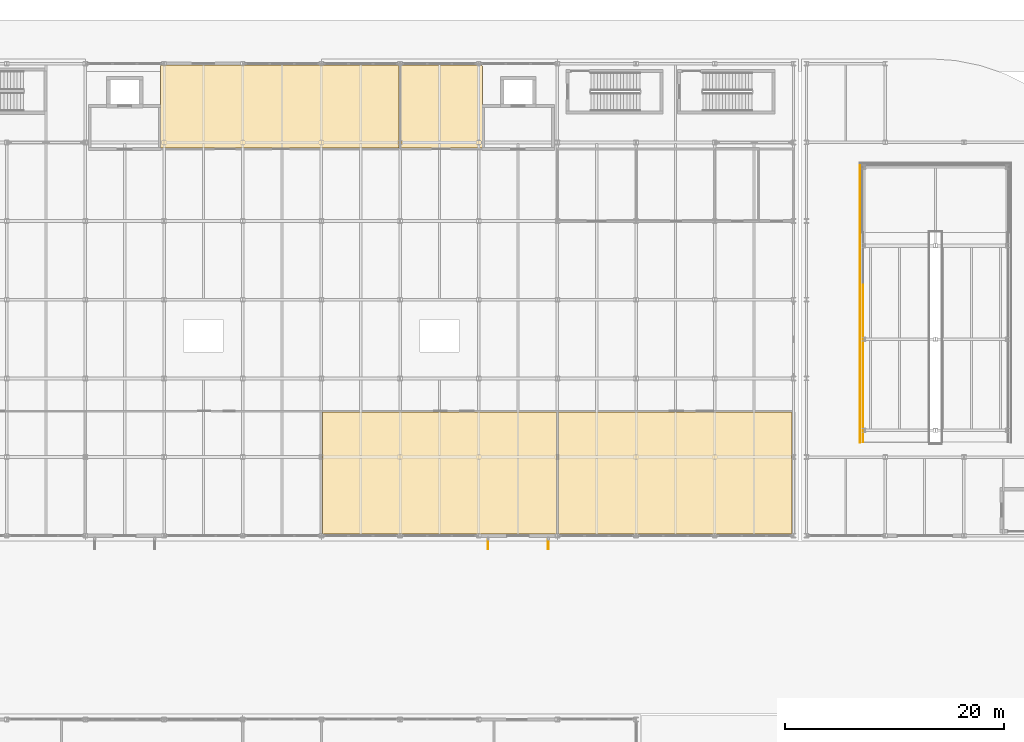
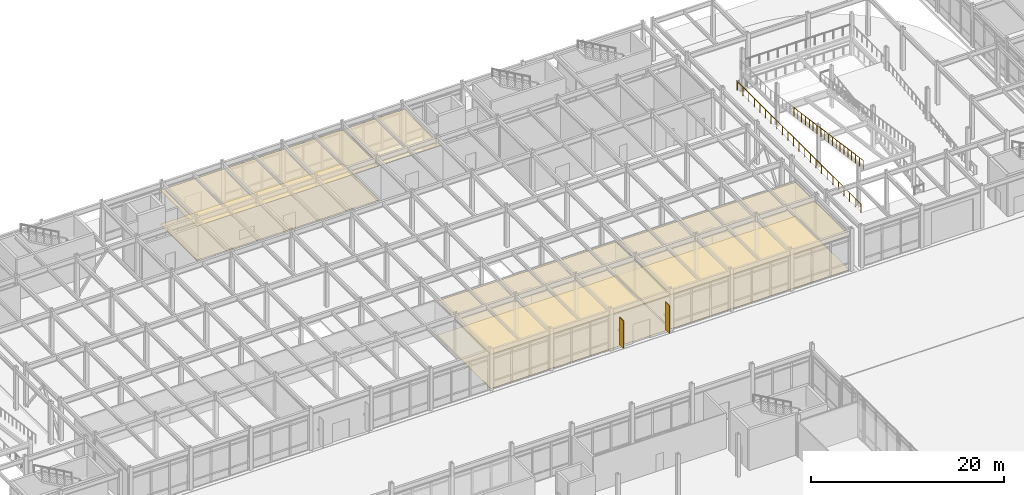
# One storey, part 93 of 104: 7 coverings, 4 railings, 2 shading devices.
"""IFC4 building model written with IfcOpenShell, lengths in metres."""

from ifc_helpers import new_model, si_unit, direction, frame, origin, origin_2d, place, context, subcontext, project, spatial, polyline, rectangle, circle, outline, extrude, material, layer, layer_set, type_object, element, save


model = new_model("IFC4")

# Units and contexts
model_context = context("Model", 3, precision=1e-05, world=origin(), true_north=direction((0.0, 1.0)))
body_context = subcontext(model_context, "Body", "Model", "MODEL_VIEW")
ifc_project = project(units=[si_unit("LENGTHUNIT", "METRE"), si_unit("AREAUNIT", "SQUARE_METRE"), si_unit("VOLUMEUNIT", "CUBIC_METRE"), si_unit("PLANEANGLEUNIT", "RADIAN"), si_unit("MASSUNIT", "GRAM", prefix="KILO")], contexts=[model_context])

# Site, building, storey
site_placement = place(None, origin())
site = spatial("IfcSite", under=ifc_project, at=site_placement, CompositionType="ELEMENT")
building_placement = place(site_placement, origin())
building = spatial("IfcBuilding", under=site, at=building_placement, Name="Vaelcorin Mobility Hub", CompositionType="ELEMENT")
storey_placement = place(building_placement, origin())
storey = spatial("IfcBuildingStorey", under=building, at=storey_placement, Name="L00", CompositionType="ELEMENT", Elevation=0.0)

# Coverings
ifc_material_1 = material(Name="Perforated acoustic mineral-fibre ceiling tile")
ifc_layer_1 = layer(ifc_material_1, 0.02001953125)
ifc_layer_set_1 = layer_set([ifc_layer_1], Name="Perforated acoustic mineral-fibre ceiling tile")
covering_type_1 = type_object("IfcCoveringType", Name="COV-CEIL-1", PredefinedType="CEILING", material=ifc_layer_set_1)
covering_1_placement = place(storey_placement, frame((0.0, 0.0, 4.306884765625)))
element("IfcCovering", 1, at=covering_1_placement, inside=storey, type_object=covering_type_1, Name="North Mobility Service Showroom Acoustic Ceiling", PredefinedType="CEILING", context=body_context, shape_type="SweptSolid", body=[
    extrude(outline(polyline([(64.5400390625, 112.280029296875), (64.533935546875, 112.280029296875), (64.528076171875, 112.281005859375), (64.52294921875, 112.282958984375), (64.51708984375, 112.284912109375), (64.511962890625, 112.287109375), (64.507080078125, 112.2900390625), (64.501953125, 112.2939453125), (64.498046875, 112.298095703125), (64.493896484375, 112.302001953125), (64.489990234375, 112.306884765625), (64.487060546875, 112.31201171875), (64.485107421875, 112.31689453125), (64.48291015625, 112.322998046875), (64.48095703125, 112.327880859375), (64.47998046875, 112.333984375), (64.47998046875, 112.340087890625), (64.47998046875, 119.800048828125), (64.47998046875, 119.805908203125), (64.48095703125, 119.81201171875), (64.48291015625, 119.81689453125), (64.485107421875, 119.822998046875), (64.487060546875, 119.827880859375), (64.489990234375, 119.8330078125), (64.493896484375, 119.837890625), (64.498046875, 119.842041015625), (64.501953125, 119.845947265625), (64.507080078125, 119.85009765625), (64.511962890625, 119.85302734375), (64.51708984375, 119.85498046875), (64.52294921875, 119.85693359375), (64.528076171875, 119.85888671875), (64.533935546875, 119.860107421875), (64.5400390625, 119.860107421875), (86.260009765625, 119.860107421875), (86.26611328125, 119.860107421875), (86.27197265625, 119.85888671875), (86.277099609375, 119.85693359375), (86.282958984375, 119.85498046875), (86.2880859375, 119.85302734375), (86.29296875, 119.85009765625), (86.298095703125, 119.845947265625), (86.302001953125, 119.842041015625), (86.305908203125, 119.837890625), (86.31005859375, 119.8330078125), (86.31298828125, 119.827880859375), (86.31494140625, 119.822998046875), (86.31689453125, 119.81689453125), (86.319091796875, 119.81201171875), (86.320068359375, 119.805908203125), (86.320068359375, 119.800048828125), (86.320068359375, 112.340087890625), (86.320068359375, 112.333984375), (86.319091796875, 112.327880859375), (86.31689453125, 112.322998046875), (86.31494140625, 112.31689453125), (86.31298828125, 112.31201171875), (86.31005859375, 112.306884765625), (86.305908203125, 112.302001953125), (86.302001953125, 112.298095703125), (86.298095703125, 112.2939453125), (86.29296875, 112.2900390625), (86.2880859375, 112.287109375), (86.282958984375, 112.284912109375), (86.277099609375, 112.282958984375), (86.27197265625, 112.281005859375), (86.26611328125, 112.280029296875), (86.260009765625, 112.280029296875), (64.5400390625, 112.280029296875)])), origin(), (0.0, 0.0, 1.0), 0.02001953125),
])
ifc_layer_2 = layer(ifc_material_1, 0.02392578125)
ifc_layer_set_2 = layer_set([ifc_layer_2], Name="Perforated acoustic mineral-fibre ceiling tile")
covering_type_2 = type_object("IfcCoveringType", Name="COV-CEIL-2", PredefinedType="CEILING", material=ifc_layer_set_2)
covering_2_placement = place(storey_placement, frame((0.0, 0.0, 4.306884765625)))
element("IfcCovering", 2, at=covering_2_placement, inside=storey, type_object=covering_type_2, Name="Transit Security Operations Room Acoustic Ceiling", PredefinedType="CEILING", context=body_context, shape_type="SweptSolid", body=[
    extrude(outline(polyline([(86.5400390625, 112.280029296875), (86.533935546875, 112.280029296875), (86.528076171875, 112.281005859375), (86.52294921875, 112.282958984375), (86.51708984375, 112.284912109375), (86.511962890625, 112.287109375), (86.507080078125, 112.2900390625), (86.501953125, 112.2939453125), (86.498046875, 112.298095703125), (86.493896484375, 112.302001953125), (86.489990234375, 112.306884765625), (86.487060546875, 112.31201171875), (86.485107421875, 112.31689453125), (86.48291015625, 112.322998046875), (86.48095703125, 112.327880859375), (86.47998046875, 112.333984375), (86.47998046875, 112.340087890625), (86.47998046875, 119.800048828125), (86.47998046875, 119.805908203125), (86.48095703125, 119.81201171875), (86.48291015625, 119.81689453125), (86.485107421875, 119.822998046875), (86.487060546875, 119.827880859375), (86.489990234375, 119.8330078125), (86.493896484375, 119.837890625), (86.498046875, 119.842041015625), (86.501953125, 119.845947265625), (86.507080078125, 119.85009765625), (86.511962890625, 119.85302734375), (86.51708984375, 119.85498046875), (86.52294921875, 119.85693359375), (86.528076171875, 119.85888671875), (86.533935546875, 119.860107421875), (86.5400390625, 119.860107421875), (93.860107421875, 119.860107421875), (93.865966796875, 119.860107421875), (93.8720703125, 119.85888671875), (93.876953125, 119.85693359375), (93.883056640625, 119.85498046875), (93.887939453125, 119.85302734375), (93.89306640625, 119.85009765625), (93.89794921875, 119.845947265625), (93.902099609375, 119.842041015625), (93.906005859375, 119.837890625), (93.909912109375, 119.8330078125), (93.9130859375, 119.827880859375), (93.9150390625, 119.822998046875), (93.9169921875, 119.81689453125), (93.9189453125, 119.81201171875), (93.919921875, 119.805908203125), (93.919921875, 119.800048828125), (93.919921875, 112.340087890625), (93.919921875, 112.333984375), (93.9189453125, 112.327880859375), (93.9169921875, 112.322998046875), (93.9150390625, 112.31689453125), (93.9130859375, 112.31201171875), (93.909912109375, 112.306884765625), (93.906005859375, 112.302001953125), (93.902099609375, 112.298095703125), (93.89794921875, 112.2939453125), (93.89306640625, 112.2900390625), (93.887939453125, 112.287109375), (93.883056640625, 112.284912109375), (93.876953125, 112.282958984375), (93.8720703125, 112.281005859375), (93.865966796875, 112.280029296875), (93.860107421875, 112.280029296875), (86.5400390625, 112.280029296875)])), origin(), (0.0, 0.0, 1.0), 0.024169921875),
])
ifc_layer_3 = layer(ifc_material_1, 0.030029296875)
ifc_layer_set_3 = layer_set([ifc_layer_3], Name="Perforated acoustic mineral-fibre ceiling tile")
covering_type_3 = type_object("IfcCoveringType", Name="COV-CEIL-3", PredefinedType="CEILING", material=ifc_layer_set_3)
covering_3_placement = place(storey_placement, frame((0.0, 0.0, 4.306884765625)))
element("IfcCovering", 3, at=covering_3_placement, inside=storey, type_object=covering_type_3, Name="Transit Commuter Provision Shop Acoustic Ceiling", PredefinedType="CEILING", context=body_context, shape_type="SweptSolid", body=[
    extrude(outline(polyline([(79.340087890625, 76.93994140625), (79.333984375, 76.93994140625), (79.327880859375, 76.94091796875), (79.322998046875, 76.943115234375), (79.31689453125, 76.945068359375), (79.31201171875, 76.947021484375), (79.306884765625, 76.949951171875), (79.302001953125, 76.9541015625), (79.298095703125, 76.9580078125), (79.2939453125, 76.9619140625), (79.2900390625, 76.967041015625), (79.287109375, 76.971923828125), (79.284912109375, 76.97705078125), (79.282958984375, 76.98291015625), (79.281005859375, 76.988037109375), (79.280029296875, 76.993896484375), (79.280029296875, 77.0), (79.280029296875, 88.06005859375), (79.280029296875, 88.06591796875), (79.281005859375, 88.072021484375), (79.282958984375, 88.076904296875), (79.284912109375, 88.0830078125), (79.287109375, 88.087890625), (79.2900390625, 88.093017578125), (79.2939453125, 88.097900390625), (79.298095703125, 88.10205078125), (79.302001953125, 88.10595703125), (79.306884765625, 88.110107421875), (79.31201171875, 88.113037109375), (79.31689453125, 88.114990234375), (79.322998046875, 88.116943359375), (79.327880859375, 88.118896484375), (79.333984375, 88.1201171875), (79.340087890625, 88.1201171875), (100.659912109375, 88.1201171875), (100.666015625, 88.1201171875), (100.672119140625, 88.118896484375), (100.677001953125, 88.116943359375), (100.68310546875, 88.114990234375), (100.68798828125, 88.113037109375), (100.693115234375, 88.110107421875), (100.697998046875, 88.10595703125), (100.701904296875, 88.10205078125), (100.7060546875, 88.097900390625), (100.7099609375, 88.093017578125), (100.712890625, 88.087890625), (100.715087890625, 88.0830078125), (100.717041015625, 88.076904296875), (100.718994140625, 88.072021484375), (100.719970703125, 88.06591796875), (100.719970703125, 88.06005859375), (100.719970703125, 77.0), (100.719970703125, 76.993896484375), (100.718994140625, 76.988037109375), (100.717041015625, 76.98291015625), (100.715087890625, 76.97705078125), (100.712890625, 76.971923828125), (100.7099609375, 76.967041015625), (100.7060546875, 76.9619140625), (100.701904296875, 76.9580078125), (100.697998046875, 76.9541015625), (100.693115234375, 76.949951171875), (100.68798828125, 76.947021484375), (100.68310546875, 76.945068359375), (100.677001953125, 76.943115234375), (100.672119140625, 76.94091796875), (100.666015625, 76.93994140625), (100.659912109375, 76.93994140625), (79.340087890625, 76.93994140625)])), origin(), (0.0, 0.0, 1.0), 0.030029296875),
])
ifc_layer_4 = layer(ifc_material_1, 0.0380859375)
ifc_layer_set_4 = layer_set([ifc_layer_4], Name="Perforated acoustic mineral-fibre ceiling tile")
covering_type_4 = type_object("IfcCoveringType", Name="COV-CEIL-4", PredefinedType="CEILING", material=ifc_layer_set_4)
covering_4_placement = place(storey_placement, frame((0.0, 0.0, 4.306884765625)))
element("IfcCovering", 4, at=covering_4_placement, inside=storey, type_object=covering_type_4, Name="Community Mobility Briefing Room Acoustic Ceiling", PredefinedType="CEILING", context=body_context, shape_type="SweptSolid", body=[
    extrude(outline(polyline([(100.93994140625, 76.93994140625), (100.93408203125, 76.93994140625), (100.927978515625, 76.94091796875), (100.923095703125, 76.943115234375), (100.9169921875, 76.945068359375), (100.912109375, 76.947021484375), (100.906982421875, 76.949951171875), (100.902099609375, 76.9541015625), (100.89794921875, 76.9580078125), (100.89404296875, 76.9619140625), (100.889892578125, 76.967041015625), (100.886962890625, 76.971923828125), (100.885009765625, 76.97705078125), (100.883056640625, 76.98291015625), (100.881103515625, 76.988037109375), (100.8798828125, 76.993896484375), (100.8798828125, 77.0), (100.8798828125, 88.06005859375), (100.8798828125, 88.06591796875), (100.881103515625, 88.072021484375), (100.883056640625, 88.076904296875), (100.885009765625, 88.0830078125), (100.886962890625, 88.087890625), (100.889892578125, 88.093017578125), (100.89404296875, 88.097900390625), (100.89794921875, 88.10205078125), (100.902099609375, 88.10595703125), (100.906982421875, 88.110107421875), (100.912109375, 88.113037109375), (100.9169921875, 88.114990234375), (100.923095703125, 88.116943359375), (100.927978515625, 88.118896484375), (100.93408203125, 88.1201171875), (100.93994140625, 88.1201171875), (122.199951171875, 88.1201171875), (122.2060546875, 88.1201171875), (122.2119140625, 88.118896484375), (122.217041015625, 88.116943359375), (122.222900390625, 88.114990234375), (122.22802734375, 88.113037109375), (122.23291015625, 88.110107421875), (122.238037109375, 88.10595703125), (122.241943359375, 88.10205078125), (122.24609375, 88.097900390625), (122.25, 88.093017578125), (122.2529296875, 88.087890625), (122.2548828125, 88.0830078125), (122.257080078125, 88.076904296875), (122.259033203125, 88.072021484375), (122.260009765625, 88.06591796875), (122.260009765625, 88.06005859375), (122.260009765625, 77.0), (122.260009765625, 76.993896484375), (122.259033203125, 76.988037109375), (122.257080078125, 76.98291015625), (122.2548828125, 76.97705078125), (122.2529296875, 76.971923828125), (122.25, 76.967041015625), (122.24609375, 76.9619140625), (122.241943359375, 76.9580078125), (122.238037109375, 76.9541015625), (122.23291015625, 76.949951171875), (122.22802734375, 76.947021484375), (122.222900390625, 76.945068359375), (122.217041015625, 76.943115234375), (122.2119140625, 76.94091796875), (122.2060546875, 76.93994140625), (122.199951171875, 76.93994140625), (100.93994140625, 76.93994140625)])), origin(), (0.0, 0.0, 1.0), 0.0380859375),
])
ifc_material_2 = material(Name="Polished epoxy-terrazzo concourse flooring")
ifc_layer_5 = layer(ifc_material_2, 0.01806640625)
ifc_layer_set_5 = layer_set([ifc_layer_5], Name="Polished epoxy-terrazzo concourse flooring")
covering_type_5 = type_object("IfcCoveringType", Name="COV-FLR-1", PredefinedType="FLOORING", material=ifc_layer_set_5)
covering_5_placement = place(storey_placement, origin())
element("IfcCovering", 5, at=covering_5_placement, inside=storey, type_object=covering_type_5, Name="Transit Commuter Provision Shop Finish Flooring", PredefinedType="FLOORING", context=body_context, shape_type="SweptSolid", body=[
    extrude(outline(polyline([(79.340087890625, 76.93994140625), (79.333984375, 76.93994140625), (79.327880859375, 76.94091796875), (79.322998046875, 76.943115234375), (79.31689453125, 76.945068359375), (79.31201171875, 76.947021484375), (79.306884765625, 76.949951171875), (79.302001953125, 76.9541015625), (79.298095703125, 76.9580078125), (79.2939453125, 76.9619140625), (79.2900390625, 76.967041015625), (79.287109375, 76.971923828125), (79.284912109375, 76.97705078125), (79.282958984375, 76.98291015625), (79.281005859375, 76.988037109375), (79.280029296875, 76.993896484375), (79.280029296875, 77.0), (79.280029296875, 88.06005859375), (79.280029296875, 88.06591796875), (79.281005859375, 88.072021484375), (79.282958984375, 88.076904296875), (79.284912109375, 88.0830078125), (79.287109375, 88.087890625), (79.2900390625, 88.093017578125), (79.2939453125, 88.097900390625), (79.298095703125, 88.10205078125), (79.302001953125, 88.10595703125), (79.306884765625, 88.110107421875), (79.31201171875, 88.113037109375), (79.31689453125, 88.114990234375), (79.322998046875, 88.116943359375), (79.327880859375, 88.118896484375), (79.333984375, 88.1201171875), (79.340087890625, 88.1201171875), (100.659912109375, 88.1201171875), (100.666015625, 88.1201171875), (100.672119140625, 88.118896484375), (100.677001953125, 88.116943359375), (100.68310546875, 88.114990234375), (100.68798828125, 88.113037109375), (100.693115234375, 88.110107421875), (100.697998046875, 88.10595703125), (100.701904296875, 88.10205078125), (100.7060546875, 88.097900390625), (100.7099609375, 88.093017578125), (100.712890625, 88.087890625), (100.715087890625, 88.0830078125), (100.717041015625, 88.076904296875), (100.718994140625, 88.072021484375), (100.719970703125, 88.06591796875), (100.719970703125, 88.06005859375), (100.719970703125, 77.0), (100.719970703125, 76.993896484375), (100.718994140625, 76.988037109375), (100.717041015625, 76.98291015625), (100.715087890625, 76.97705078125), (100.712890625, 76.971923828125), (100.7099609375, 76.967041015625), (100.7060546875, 76.9619140625), (100.701904296875, 76.9580078125), (100.697998046875, 76.9541015625), (100.693115234375, 76.949951171875), (100.68798828125, 76.947021484375), (100.68310546875, 76.945068359375), (100.677001953125, 76.943115234375), (100.672119140625, 76.94091796875), (100.666015625, 76.93994140625), (100.659912109375, 76.93994140625), (79.340087890625, 76.93994140625)])), origin(), (0.0, 0.0, 1.0), 0.01806640625),
])
covering_6_placement = place(storey_placement, origin())
element("IfcCovering", 6, at=covering_6_placement, inside=storey, type_object=covering_type_5, Name="North Mobility Service Showroom Finish Flooring", PredefinedType="FLOORING", context=body_context, shape_type="SweptSolid", body=[
    extrude(outline(polyline([(64.5400390625, 112.280029296875), (64.533935546875, 112.280029296875), (64.528076171875, 112.281005859375), (64.52294921875, 112.282958984375), (64.51708984375, 112.284912109375), (64.511962890625, 112.287109375), (64.507080078125, 112.2900390625), (64.501953125, 112.2939453125), (64.498046875, 112.298095703125), (64.493896484375, 112.302001953125), (64.489990234375, 112.306884765625), (64.487060546875, 112.31201171875), (64.485107421875, 112.31689453125), (64.48291015625, 112.322998046875), (64.48095703125, 112.327880859375), (64.47998046875, 112.333984375), (64.47998046875, 112.340087890625), (64.47998046875, 119.800048828125), (64.47998046875, 119.805908203125), (64.48095703125, 119.81201171875), (64.48291015625, 119.81689453125), (64.485107421875, 119.822998046875), (64.487060546875, 119.827880859375), (64.489990234375, 119.8330078125), (64.493896484375, 119.837890625), (64.498046875, 119.842041015625), (64.501953125, 119.845947265625), (64.507080078125, 119.85009765625), (64.511962890625, 119.85302734375), (64.51708984375, 119.85498046875), (64.52294921875, 119.85693359375), (64.528076171875, 119.85888671875), (64.533935546875, 119.860107421875), (64.5400390625, 119.860107421875), (86.260009765625, 119.860107421875), (86.26611328125, 119.860107421875), (86.27197265625, 119.85888671875), (86.277099609375, 119.85693359375), (86.282958984375, 119.85498046875), (86.2880859375, 119.85302734375), (86.29296875, 119.85009765625), (86.298095703125, 119.845947265625), (86.302001953125, 119.842041015625), (86.305908203125, 119.837890625), (86.31005859375, 119.8330078125), (86.31298828125, 119.827880859375), (86.31494140625, 119.822998046875), (86.31689453125, 119.81689453125), (86.319091796875, 119.81201171875), (86.320068359375, 119.805908203125), (86.320068359375, 119.800048828125), (86.320068359375, 112.340087890625), (86.320068359375, 112.333984375), (86.319091796875, 112.327880859375), (86.31689453125, 112.322998046875), (86.31494140625, 112.31689453125), (86.31298828125, 112.31201171875), (86.31005859375, 112.306884765625), (86.305908203125, 112.302001953125), (86.302001953125, 112.298095703125), (86.298095703125, 112.2939453125), (86.29296875, 112.2900390625), (86.2880859375, 112.287109375), (86.282958984375, 112.284912109375), (86.277099609375, 112.282958984375), (86.27197265625, 112.281005859375), (86.26611328125, 112.280029296875), (86.260009765625, 112.280029296875), (64.5400390625, 112.280029296875)])), origin(), (0.0, 0.0, 1.0), 0.01806640625),
])
ifc_layer_6 = layer(ifc_material_2, 0.02587890625)
ifc_layer_set_6 = layer_set([ifc_layer_6], Name="Polished epoxy-terrazzo concourse flooring")
covering_type_6 = type_object("IfcCoveringType", Name="COV-FLR-2", PredefinedType="FLOORING", material=ifc_layer_set_6)
covering_7_placement = place(storey_placement, origin())
element("IfcCovering", 7, at=covering_7_placement, inside=storey, type_object=covering_type_6, Name="Community Mobility Briefing Room Finish Flooring", PredefinedType="FLOORING", context=body_context, shape_type="SweptSolid", body=[
    extrude(outline(polyline([(100.93994140625, 76.93994140625), (100.93408203125, 76.93994140625), (100.927978515625, 76.94091796875), (100.923095703125, 76.943115234375), (100.9169921875, 76.945068359375), (100.912109375, 76.947021484375), (100.906982421875, 76.949951171875), (100.902099609375, 76.9541015625), (100.89794921875, 76.9580078125), (100.89404296875, 76.9619140625), (100.889892578125, 76.967041015625), (100.886962890625, 76.971923828125), (100.885009765625, 76.97705078125), (100.883056640625, 76.98291015625), (100.881103515625, 76.988037109375), (100.8798828125, 76.993896484375), (100.8798828125, 77.0), (100.8798828125, 88.06005859375), (100.8798828125, 88.06591796875), (100.881103515625, 88.072021484375), (100.883056640625, 88.076904296875), (100.885009765625, 88.0830078125), (100.886962890625, 88.087890625), (100.889892578125, 88.093017578125), (100.89404296875, 88.097900390625), (100.89794921875, 88.10205078125), (100.902099609375, 88.10595703125), (100.906982421875, 88.110107421875), (100.912109375, 88.113037109375), (100.9169921875, 88.114990234375), (100.923095703125, 88.116943359375), (100.927978515625, 88.118896484375), (100.93408203125, 88.1201171875), (100.93994140625, 88.1201171875), (122.199951171875, 88.1201171875), (122.2060546875, 88.1201171875), (122.2119140625, 88.118896484375), (122.217041015625, 88.116943359375), (122.222900390625, 88.114990234375), (122.22802734375, 88.113037109375), (122.23291015625, 88.110107421875), (122.238037109375, 88.10595703125), (122.241943359375, 88.10205078125), (122.24609375, 88.097900390625), (122.25, 88.093017578125), (122.2529296875, 88.087890625), (122.2548828125, 88.0830078125), (122.257080078125, 88.076904296875), (122.259033203125, 88.072021484375), (122.260009765625, 88.06591796875), (122.260009765625, 88.06005859375), (122.260009765625, 77.0), (122.260009765625, 76.993896484375), (122.259033203125, 76.988037109375), (122.257080078125, 76.98291015625), (122.2548828125, 76.97705078125), (122.2529296875, 76.971923828125), (122.25, 76.967041015625), (122.24609375, 76.9619140625), (122.241943359375, 76.9580078125), (122.238037109375, 76.9541015625), (122.23291015625, 76.949951171875), (122.22802734375, 76.947021484375), (122.222900390625, 76.945068359375), (122.217041015625, 76.943115234375), (122.2119140625, 76.94091796875), (122.2060546875, 76.93994140625), (122.199951171875, 76.93994140625), (100.93994140625, 76.93994140625)])), origin(), (0.0, 0.0, 1.0), 0.02587890625),
])

# Railings
ifc_material_3 = material(Name="Galvanised structural steel ASTM A36", Category="steel")
ifc_layer_7 = layer(ifc_material_3, 0.070068359375)
ifc_layer_set_7 = layer_set([ifc_layer_7], Name="Galvanised structural steel ASTM A36")
railing_type = type_object("IfcRailingType", Name="RL-GUARD-1100", PredefinedType="BALUSTRADE", material=ifc_layer_set_7)
railing_1_placement = place(storey_placement, frame((128.47998046875, 85.340087890625, 0.0)))
element("IfcRailing", 8, at=railing_1_placement, inside=storey, type_object=railing_type, Name="L00 Perimeter Guard GR-V2E-L00-WELL-01", PredefinedType="BALUSTRADE", context=body_context, shape_type="SweptSolid", body=[
    extrude(circle(Radius=0.02392578125, at=origin_2d()), frame((0.0, 0.0, 1.076171875), z_axis=(0.0, 1.0, 0.0), x_axis=(-1.0, 0.0, 0.0)), (0.0, 0.0, 1.0), 25.579833984375),
    extrude(circle(Radius=0.02099609375, at=origin_2d()), origin(), (0.0, 0.0, 1.0), 1.052001953125),
    extrude(circle(Radius=0.02099609375, at=origin_2d()), frame((0.0, 1.16259765625, 0.0)), (0.0, 0.0, 1.0), 1.052001953125),
    extrude(circle(Radius=0.02099609375, at=origin_2d()), frame((0.0, 2.325439453125, 0.0)), (0.0, 0.0, 1.0), 1.052001953125),
    extrude(circle(Radius=0.02099609375, at=origin_2d()), frame((0.0, 3.488037109375, 0.0)), (0.0, 0.0, 1.0), 1.052001953125),
    extrude(circle(Radius=0.02099609375, at=origin_2d()), frame((0.0, 4.65087890625, 0.0)), (0.0, 0.0, 1.0), 1.052001953125),
    extrude(circle(Radius=0.02099609375, at=origin_2d()), frame((0.0, 5.8134765625, 0.0)), (0.0, 0.0, 1.0), 1.052001953125),
    extrude(circle(Radius=0.02099609375, at=origin_2d()), frame((0.0, 6.976318359375, 0.0)), (0.0, 0.0, 1.0), 1.052001953125),
    extrude(circle(Radius=0.02099609375, at=origin_2d()), frame((0.0, 8.13916015625, 0.0)), (0.0, 0.0, 1.0), 1.052001953125),
    extrude(circle(Radius=0.02099609375, at=origin_2d()), frame((0.0, 9.3017578125, 0.0)), (0.0, 0.0, 1.0), 1.052001953125),
    extrude(circle(Radius=0.02099609375, at=origin_2d()), frame((0.0, 10.46435546875, 0.0)), (0.0, 0.0, 1.0), 1.052001953125),
    extrude(circle(Radius=0.02099609375, at=origin_2d()), frame((0.0, 11.627197265625, 0.0)), (0.0, 0.0, 1.0), 1.052001953125),
    extrude(circle(Radius=0.02099609375, at=origin_2d()), frame((0.0, 12.7900390625, 0.0)), (0.0, 0.0, 1.0), 1.052001953125),
    extrude(circle(Radius=0.02099609375, at=origin_2d()), frame((0.0, 13.95263671875, 0.0)), (0.0, 0.0, 1.0), 1.052001953125),
    extrude(circle(Radius=0.02099609375, at=origin_2d()), frame((0.0, 15.115234375, 0.0)), (0.0, 0.0, 1.0), 1.052001953125),
    extrude(circle(Radius=0.02099609375, at=origin_2d()), frame((0.0, 16.278076171875, 0.0)), (0.0, 0.0, 1.0), 1.052001953125),
    extrude(circle(Radius=0.02099609375, at=origin_2d()), frame((0.0, 17.44091796875, 0.0)), (0.0, 0.0, 1.0), 1.052001953125),
    extrude(circle(Radius=0.02099609375, at=origin_2d()), frame((0.0, 18.603515625, 0.0)), (0.0, 0.0, 1.0), 1.052001953125),
    extrude(circle(Radius=0.02099609375, at=origin_2d()), frame((0.0, 19.76611328125, 0.0)), (0.0, 0.0, 1.0), 1.052001953125),
    extrude(circle(Radius=0.02099609375, at=origin_2d()), frame((0.0, 20.928955078125, 0.0)), (0.0, 0.0, 1.0), 1.052001953125),
    extrude(circle(Radius=0.02099609375, at=origin_2d()), frame((0.0, 22.091796875, 0.0)), (0.0, 0.0, 1.0), 1.052001953125),
    extrude(circle(Radius=0.02099609375, at=origin_2d()), frame((0.0, 23.25439453125, 0.0)), (0.0, 0.0, 1.0), 1.052001953125),
    extrude(circle(Radius=0.02099609375, at=origin_2d()), frame((0.0, 24.4169921875, 0.0)), (0.0, 0.0, 1.0), 1.052001953125),
    extrude(circle(Radius=0.02099609375, at=origin_2d()), frame((0.0, 25.579833984375, 0.0)), (0.0, 0.0, 1.0), 1.052001953125),
])
railing_2_placement = place(storey_placement, frame((128.780029296875, 99.7451171875, 3.375)))
element("IfcRailing", 9, at=railing_2_placement, inside=storey, type_object=railing_type, Name="L00 Ramp Guard GR-V2E-L00-FL2-W-02", PredefinedType="BALUSTRADE", context=body_context, shape_type="SweptSolid", body=[
    extrude(circle(Radius=0.02392578125, at=origin_2d()), frame((0.0, 0.0, 1.076171875), z_axis=(0.0, -0.990235819359, 0.139402374651), x_axis=(1.0, 0.0, 0.0)), (0.0, 0.0, 1.0), 4.842529296875),
    extrude(circle(Radius=0.02099609375, at=origin_2d()), origin(), (0.0, 0.0, 1.0), 1.052001953125),
    extrude(circle(Radius=0.02099609375, at=origin_2d()), frame((0.0, -0.79931640625, 0.112548828125)), (0.0, 0.0, 1.0), 1.052001953125),
    extrude(circle(Radius=0.02099609375, at=origin_2d()), frame((0.0, -1.598388671875, 0.22509765625)), (0.0, 0.0, 1.0), 1.052001953125),
    extrude(circle(Radius=0.02099609375, at=origin_2d()), frame((0.0, -2.3974609375, 0.33740234375)), (0.0, 0.0, 1.0), 1.052001953125),
    extrude(circle(Radius=0.02099609375, at=origin_2d()), frame((0.0, -3.19677734375, 0.449951171875)), (0.0, 0.0, 1.0), 1.052001953125),
    extrude(circle(Radius=0.02099609375, at=origin_2d()), frame((0.0, -3.99609375, 0.5625)), (0.0, 0.0, 1.0), 1.052001953125),
    extrude(circle(Radius=0.02099609375, at=origin_2d()), frame((0.0, -4.795166015625, 0.675048828125)), (0.0, 0.0, 1.0), 1.052001953125),
])
railing_3_placement = place(storey_placement, frame((128.780029296875, 94.949951171875, 4.050048828125)))
element("IfcRailing", 10, at=railing_3_placement, inside=storey, type_object=railing_type, Name="L00 Ramp Guard GR-V2E-L00-FL2-W-03", PredefinedType="BALUSTRADE", context=body_context, shape_type="SweptSolid", body=[
    extrude(circle(Radius=0.02392578125, at=origin_2d()), frame((0.0, 0.0, 1.076171875), z_axis=(0.0, -0.990234839535, 0.139409334588), x_axis=(1.0, 0.0, 0.0)), (0.0, 0.0, 1.0), 4.84228515625),
    extrude(circle(Radius=0.02099609375, at=origin_2d()), origin(), (0.0, 0.0, 1.0), 1.052001953125),
    extrude(circle(Radius=0.02099609375, at=origin_2d()), frame((0.0, -0.799072265625, 0.112548828125)), (0.0, 0.0, 1.0), 1.052001953125),
    extrude(circle(Radius=0.02099609375, at=origin_2d()), frame((0.0, -1.598388671875, 0.22509765625)), (0.0, 0.0, 1.0), 1.052001953125),
    extrude(circle(Radius=0.02099609375, at=origin_2d()), frame((0.0, -2.3974609375, 0.33740234375)), (0.0, 0.0, 1.0), 1.052001953125),
    extrude(circle(Radius=0.02099609375, at=origin_2d()), frame((0.0, -3.196533203125, 0.449951171875)), (0.0, 0.0, 1.0), 1.052001953125),
    extrude(circle(Radius=0.02099609375, at=origin_2d()), frame((0.0, -3.995849609375, 0.5625)), (0.0, 0.0, 1.0), 1.052001953125),
    extrude(circle(Radius=0.02099609375, at=origin_2d()), frame((0.0, -4.794921875, 0.675048828125)), (0.0, 0.0, 1.0), 1.052001953125),
])
railing_4_placement = place(storey_placement, frame((128.780029296875, 90.155029296875, 4.72509765625)))
element("IfcRailing", 11, at=railing_4_placement, inside=storey, type_object=railing_type, Name="L00 Ramp Guard GR-V2E-L00-FL2-W-04", PredefinedType="BALUSTRADE", context=body_context, shape_type="SweptSolid", body=[
    extrude(circle(Radius=0.02392578125, at=origin_2d()), frame((0.0, 0.0, 1.076171875), z_axis=(0.0, -0.990241798631, 0.139359894675), x_axis=(1.0, 0.0, 0.0)), (0.0, 0.0, 1.0), 4.84228515625),
    extrude(circle(Radius=0.02099609375, at=origin_2d()), origin(), (0.0, 0.0, 1.0), 1.052001953125),
    extrude(circle(Radius=0.02099609375, at=origin_2d()), frame((0.0, -0.799072265625, 0.112548828125)), (0.0, 0.0, 1.0), 1.052001953125),
    extrude(circle(Radius=0.02099609375, at=origin_2d()), frame((0.0, -1.598388671875, 0.224853515625)), (0.0, 0.0, 1.0), 1.052001953125),
    extrude(circle(Radius=0.02099609375, at=origin_2d()), frame((0.0, -2.3974609375, 0.33740234375)), (0.0, 0.0, 1.0), 1.052001953125),
    extrude(circle(Radius=0.02099609375, at=origin_2d()), frame((0.0, -3.196533203125, 0.449951171875)), (0.0, 0.0, 1.0), 1.052001953125),
    extrude(circle(Radius=0.02099609375, at=origin_2d()), frame((0.0, -3.995849609375, 0.562255859375)), (0.0, 0.0, 1.0), 1.052001953125),
    extrude(circle(Radius=0.02099609375, at=origin_2d()), frame((0.0, -4.794921875, 0.6748046875)), (0.0, 0.0, 1.0), 1.052001953125),
])

# Shading devices
ifc_material_4 = material(Name="Perforated terracotta-bronze aluminium aerofoil", Category="masonry")
shading_device_type = type_object("IfcShadingDeviceType", Name="SHD-FIN-1", PredefinedType="USERDEFINED", material=ifc_material_4)
for number, where, z_axis, x_axis, name in (
    (12, (94.449951171875, 76.0, 0.60009765625), (0.0, 0.0, 1.0), (1.0, 0.0, 0.0), "Mobility Entry Shading Fin 07"),
    (13, (99.949951171875, 76.0, 0.60009765625), (0.0, 0.0, 1.0), (1.0, 0.0, 0.0), "Mobility Entry Shading Fin 08"),
):
    element("IfcShadingDevice", number, at=place(storey_placement, frame(where, z_axis=z_axis, x_axis=x_axis)), inside=storey, type_object=shading_device_type, Name=name, ObjectType="FIN", PredefinedType="USERDEFINED", context=body_context, shape_type="SweptSolid", body=[
        extrude(rectangle(XDim=0.06494140625, YDim=0.85009765625, at=origin_2d()), origin(), (0.0, 0.0, 1.0), 3.5),
    ])

save(model, "model.ifc")
